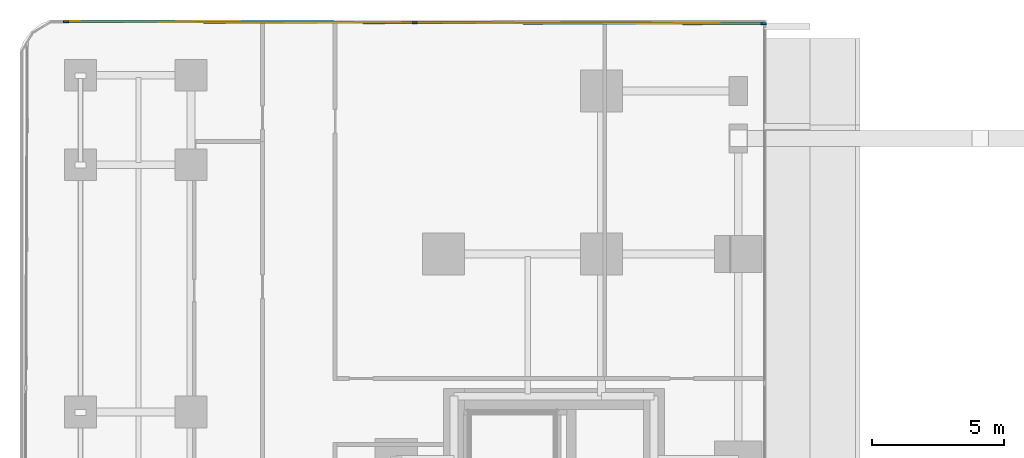
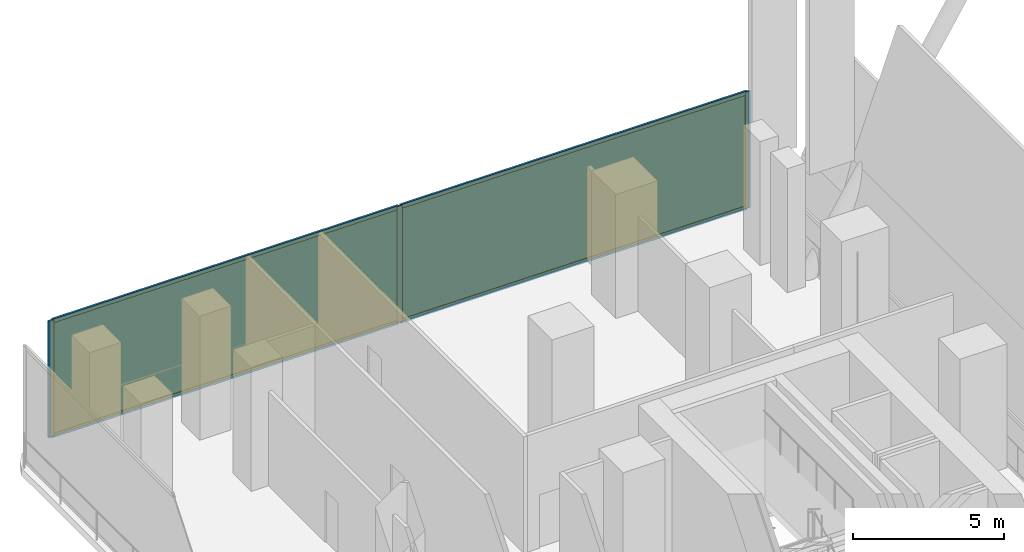
# One storey, part 17 of 31: 7 members, 2 plates, 1 curtain wall.
"""IFC4 building model written with IfcOpenShell, lengths in metres."""

from ifc_helpers import new_model, si_unit, direction, frame, frame_2d, origin, origin_2d, place, context, subcontext, project, spatial, rectangle, extrude, material, layer, layer_set, material_profile, profile_set, type_object, element, aggregate, save


model = new_model("IFC4")

# Units and contexts
model_context = context("Model", 3, precision=1e-05, world=origin(), true_north=direction((0.0, 1.0)))
body_context = subcontext(model_context, "Body", "Model", "MODEL_VIEW")
ifc_project = project(units=[si_unit("LENGTHUNIT", "METRE"), si_unit("AREAUNIT", "SQUARE_METRE"), si_unit("VOLUMEUNIT", "CUBIC_METRE"), si_unit("PLANEANGLEUNIT", "RADIAN"), si_unit("MASSUNIT", "GRAM", prefix="KILO")], contexts=[model_context])

# Member
ifc_material_1 = material(Name="Anodised Bronze Aluminium 6063-T6", Category="aluminium")
ifc_material_profile_1 = material_profile(ifc_material_1, rectangle(XDim=0.074951171875, YDim=0.199951171875, at=origin_2d()))
ifc_profile_set_1 = profile_set([ifc_material_profile_1], Name="Anodised Bronze Aluminium 6063-T6")
member_type_1 = type_object("IfcMemberType", Name="CW-POD Mullion 75x200", PredefinedType="MULLION", material=ifc_profile_set_1)
site_placement = place(None, origin())
building_placement = place(site_placement, origin())
storey_placement = place(building_placement, frame((0.0, 0.0, 6.0)))
member_1_placement = place(storey_placement, frame((-34.751953125, 27.43994140625, 0.0), z_axis=(0.0, 0.0, 1.0), x_axis=(0.003136561032, 0.99999508098, 0.0)))
member_1 = element("IfcMember", 1, at=member_1_placement, type_object=member_type_1, Name="CW-POD mullion 1", PredefinedType="MULLION", context=body_context, shape_type="SweptSolid", body=[
    extrude(rectangle(XDim=0.074951171875, YDim=0.199951171875, at=origin_2d()), origin(), (0.0, 0.0, 1.0), 4.699951171875),
])

member_2_placement = place(storey_placement, frame((-21.49462890625, 27.398193359375, 0.0), z_axis=(0.0, 0.0, 1.0), x_axis=(0.003136561032, 0.99999508098, 0.0)))
member_2 = element("IfcMember", 2, at=member_2_placement, type_object=member_type_1, Name="CW-POD mullion 2", PredefinedType="MULLION", context=body_context, shape_type="SweptSolid", body=[
    extrude(rectangle(XDim=0.074951171875, YDim=0.199951171875, at=origin_2d()), origin(), (0.0, 0.0, 1.0), 4.699951171875),
])

member_3_placement = place(storey_placement, frame((-8.237548828125, 27.356689453125, 0.0), z_axis=(0.0, 0.0, 1.0), x_axis=(0.003136561032, 0.99999508098, 0.0)))
member_3 = element("IfcMember", 3, at=member_3_placement, type_object=member_type_1, Name="CW-POD mullion 3", PredefinedType="MULLION", context=body_context, shape_type="SweptSolid", body=[
    extrude(rectangle(XDim=0.074951171875, YDim=0.199951171875, at=origin_2d()), origin(), (0.0, 0.0, 1.0), 4.699951171875),
])

ifc_material_2 = material(Name="Anodised Bronze Aluminium 6063-T6", Category="aluminium")
ifc_material_profile_2 = material_profile(ifc_material_2, rectangle(XDim=0.074951171875, YDim=0.159912109375, at=origin_2d()))
ifc_profile_set_2 = profile_set([ifc_material_profile_2], Name="Anodised Bronze Aluminium 6063-T6")
member_type_2 = type_object("IfcMemberType", Name="CW-POD Transom 75x160", PredefinedType="USERDEFINED", material=ifc_profile_set_2)
member_4_placement = place(storey_placement, frame((-34.714599609375, 27.439697265625, 0.03759765625), z_axis=(0.999995101838, -0.003129904106, 0.0), x_axis=(0.003129904106, 0.999995101838, 0.0)))
member_4 = element("IfcMember", 4, at=member_4_placement, type_object=member_type_2, Name="CW-POD transom 1.1", ObjectType="TRANSOM", PredefinedType="USERDEFINED", context=body_context, shape_type="SweptSolid", body=[
    extrude(rectangle(XDim=0.074951171875, YDim=0.159912109375, at=origin_2d()), origin(), (0.0, 0.0, 1.0), 13.182373046875),
])

member_5_placement = place(storey_placement, frame((-34.714599609375, 27.439697265625, 4.66259765625), z_axis=(0.999995101838, -0.003129904106, 0.0), x_axis=(0.003129904106, 0.999995101838, 0.0)))
member_5 = element("IfcMember", 5, at=member_5_placement, type_object=member_type_2, Name="CW-POD transom 1.2", ObjectType="TRANSOM", PredefinedType="USERDEFINED", context=body_context, shape_type="SweptSolid", body=[
    extrude(rectangle(XDim=0.074951171875, YDim=0.159912109375, at=origin_2d()), origin(), (0.0, 0.0, 1.0), 13.182373046875),
])

member_6_placement = place(storey_placement, frame((-21.457275390625, 27.398193359375, 0.03759765625), z_axis=(0.999995101838, -0.003129904106, 0.0), x_axis=(0.003129904106, 0.999995101838, 0.0)))
member_6 = element("IfcMember", 6, at=member_6_placement, type_object=member_type_2, Name="CW-POD transom 2.1", ObjectType="TRANSOM", PredefinedType="USERDEFINED", context=body_context, shape_type="SweptSolid", body=[
    extrude(rectangle(XDim=0.074951171875, YDim=0.159912109375, at=origin_2d()), origin(), (0.0, 0.0, 1.0), 13.182373046875),
])

member_7_placement = place(storey_placement, frame((-21.457275390625, 27.398193359375, 4.66259765625), z_axis=(0.999995101838, -0.003129904106, 0.0), x_axis=(0.003129904106, 0.999995101838, 0.0)))
member_7 = element("IfcMember", 7, at=member_7_placement, type_object=member_type_2, Name="CW-POD transom 2.2", ObjectType="TRANSOM", PredefinedType="USERDEFINED", context=body_context, shape_type="SweptSolid", body=[
    extrude(rectangle(XDim=0.074951171875, YDim=0.159912109375, at=origin_2d()), origin(), (0.0, 0.0, 1.0), 13.182373046875),
])

# Plate
ifc_material_3 = material(Name="Low-E Solar Control Laminated Glass", Category="glass")
ifc_layer_1 = layer(ifc_material_3, 0.031982421875, Name="Low-E Solar Control Laminated Glass")
ifc_layer_set_1 = layer_set([ifc_layer_1], Name="Low-E Solar Control Laminated Glass")
plate_type = type_object("IfcPlateType", Name="CW-POD Low-E Double Glazed Panel 32mm", PredefinedType="CURTAIN_PANEL", material=ifc_layer_set_1)
plate_1_placement = place(storey_placement, frame((-28.123291015625, 27.419189453125, 0.0751953125), z_axis=(0.0, 0.0, 1.0), x_axis=(0.99999508098, -0.003136561032, 0.0)))
plate_1 = element("IfcPlate", 8, at=plate_1_placement, type_object=plate_type, Name="CW-POD panel 1.1", PredefinedType="CURTAIN_PANEL", context=body_context, shape_type="SweptSolid", body=[
    extrude(rectangle(XDim=13.182373046875, YDim=0.031982421875, at=origin_2d()), origin(), (0.0, 0.0, 1.0), 4.550048828125),
])

plate_2_placement = place(storey_placement, frame((-14.8662109375, 27.37744140625, 0.0751953125), z_axis=(0.0, 0.0, 1.0), x_axis=(0.99999508098, -0.003136561032, 0.0)))
plate_2 = element("IfcPlate", 9, at=plate_2_placement, type_object=plate_type, Name="CW-POD panel 2.1", PredefinedType="CURTAIN_PANEL", context=body_context, shape_type="SweptSolid", body=[
    extrude(rectangle(XDim=13.182373046875, YDim=0.031982421875, at=origin_2d()), origin(), (0.0, 0.0, 1.0), 4.550048828125),
])

# Site, building, storey
site = spatial("IfcSite", under=ifc_project, at=site_placement, CompositionType="ELEMENT")
building = spatial("IfcBuilding", under=site, at=building_placement, Name="Khairoan Windgate Tower", CompositionType="ELEMENT")
storey = spatial("IfcBuildingStorey", under=building, at=storey_placement, Name="L02", CompositionType="ELEMENT", Elevation=6.0)

# Curtain wall
ifc_material_4 = material(Name="Anodised Bronze Aluminium 6063-T6", Category="aluminium")
ifc_layer_2 = layer(ifc_material_4, 0.199951171875, Name="Anodised Bronze Aluminium 6063-T6")
ifc_layer_set_2 = layer_set([ifc_layer_2], Name="Anodised Bronze Aluminium 6063-T6")
curtain_wall_type = type_object("IfcCurtainWallType", Name="Podium Arch Galleria Curtain Wall CW-POD", PredefinedType="NOTDEFINED", material=ifc_layer_set_2)
curtain_wall_placement = place(storey_placement, frame((-34.78955078125, 27.43994140625, 0.0), z_axis=(0.0, 0.0, 1.0), x_axis=(0.999995098465, -0.003130981522, 0.0)))
curtain_wall = element("IfcCurtainWall", 10, at=curtain_wall_placement, inside=storey, type_object=curtain_wall_type, Name="L02 Sculpted Podium Wing Curtain Wall 1.6", PredefinedType="NOTDEFINED", context=body_context, shape_type="SweptSolid", body=[
    extrude(rectangle(XDim=26.58984375, YDim=0.010009765625, at=frame_2d((13.294921875, 0.0))), origin(), (0.0, 0.0, 1.0), 4.699951171875),
])

aggregate(curtain_wall, [member_1, member_2, member_3, member_4, member_5, plate_1, member_6, member_7, plate_2])

save(model, "model.ifc")
